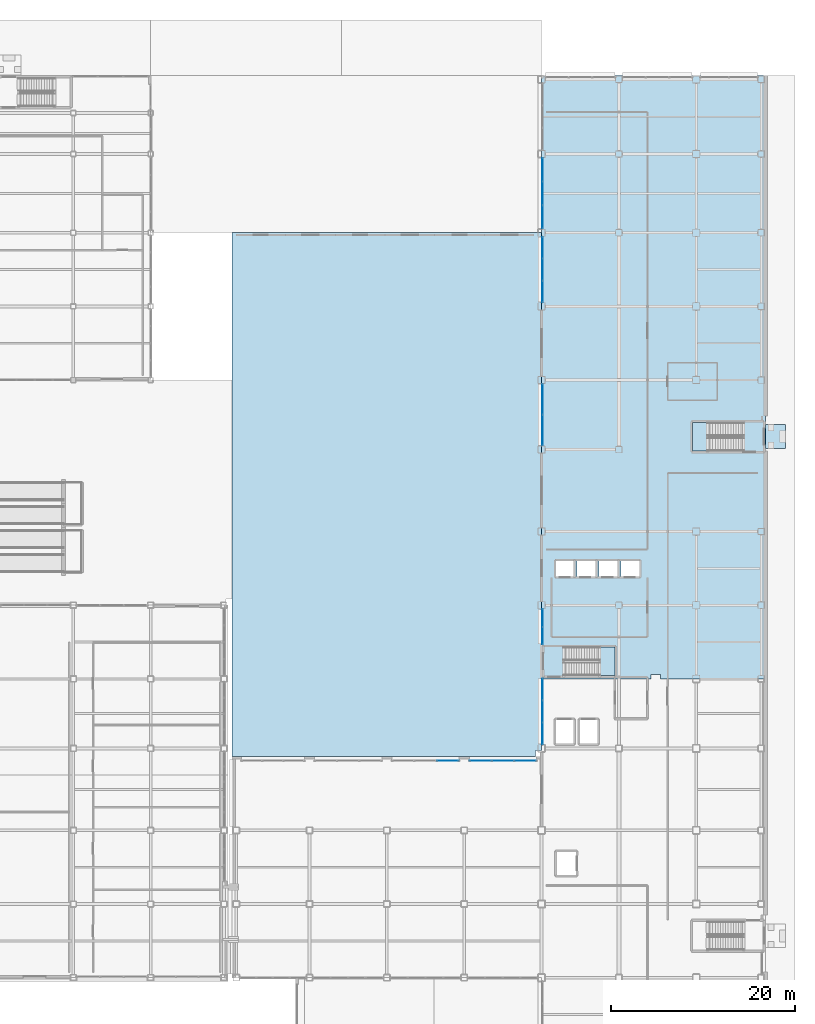
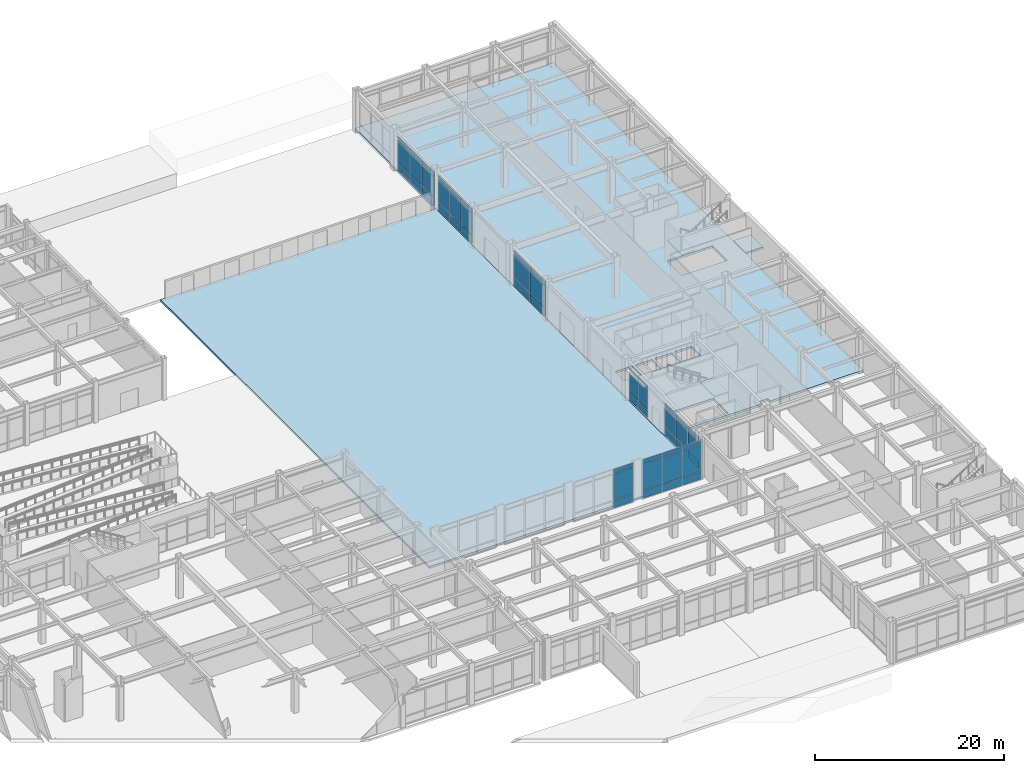
# One storey, part 121 of 165: 51 plates, 5 slabs, 9 elements without a shape of their own.
"""IFC4 building model written with IfcOpenShell, lengths in metres."""

from ifc_helpers import new_model, si_unit, direction, frame, origin, origin_2d, place, context, subcontext, project, spatial, polyline, rectangle, outline, extrude, material, layer, layer_set, type_object, element, aggregate, save


model = new_model("IFC4")

# Units and contexts
model_context = context("Model", 3, precision=1e-05, world=origin(), true_north=direction((0.0, 1.0)))
body_context = subcontext(model_context, "Body", "Model", "MODEL_VIEW")
ifc_project = project(units=[si_unit("LENGTHUNIT", "METRE"), si_unit("AREAUNIT", "SQUARE_METRE"), si_unit("VOLUMEUNIT", "CUBIC_METRE"), si_unit("PLANEANGLEUNIT", "RADIAN"), si_unit("MASSUNIT", "GRAM", prefix="KILO")], contexts=[model_context])

# Site, building, storey
site_placement = place(None, origin())
site = spatial("IfcSite", under=ifc_project, at=site_placement, CompositionType="ELEMENT")
building_placement = place(site_placement, origin())
building = spatial("IfcBuilding", under=site, at=building_placement, Name="Kazehara Bluff Congress Hotel", CompositionType="ELEMENT")
storey_placement = place(building_placement, origin())
storey = spatial("IfcBuildingStorey", under=building, at=storey_placement, Name="L00", CompositionType="ELEMENT", Elevation=0.0)

# Curtain wall, plates
ifc_material_1 = material(Name="Anodised aluminium", Category="aluminium")
ifc_layer_1 = layer(ifc_material_1, 0.159912109375)
ifc_layer_set_1 = layer_set([ifc_layer_1], Name="Anodised aluminium")
curtain_wall_type_1 = type_object("IfcCurtainWallType", Name="TP-CW-101", PredefinedType="NOTDEFINED", material=ifc_layer_set_1)
curtain_wall_1_placement = place(storey_placement, origin())
curtain_wall_1 = element("IfcCurtainWall", 1, at=curtain_wall_1_placement, inside=storey, type_object=curtain_wall_type_1, Name="L00 curtain wall CW-101 CW-ENC-V5-L00-14380-4492", PredefinedType="NOTDEFINED")
ifc_material_2 = material(Name="Insulated low-E double glazing", Category="glass")
ifc_layer_2 = layer(ifc_material_2, 0.028076171875)
ifc_layer_set_2 = layer_set([ifc_layer_2], Name="Insulated low-E double glazing")
plate_type_1 = type_object("IfcPlateType", Name="TP-CWP-01", PredefinedType="CURTAIN_PANEL", material=ifc_layer_set_2)
plate_1_placement = place(storey_placement, frame((143.800048828125, 42.52294921875, 0.06494140625), z_axis=(0.0, 0.0, 1.0), x_axis=(0.0, 1.0, 0.0)))
plate_1 = element("IfcPlate", 2, at=plate_1_placement, type_object=plate_type_1, Name="CW-101 panel 1.1", PredefinedType="CURTAIN_PANEL", context=body_context, shape_type="SweptSolid", body=[
    extrude(rectangle(XDim=2.31591796875, YDim=0.028076171875, at=origin_2d()), origin(), (0.0, 0.0, 1.0), 0.952392578125),
])
plate_2_placement = place(storey_placement, frame((143.800048828125, 42.52294921875, 1.08251953125), z_axis=(0.0, 0.0, 1.0), x_axis=(0.0, 1.0, 0.0)))
plate_2 = element("IfcPlate", 3, at=plate_2_placement, type_object=plate_type_1, Name="CW-101 panel 1.2", PredefinedType="CURTAIN_PANEL", context=body_context, shape_type="SweptSolid", body=[
    extrude(rectangle(XDim=2.31591796875, YDim=0.028076171875, at=origin_2d()), origin(), (0.0, 0.0, 1.0), 2.4599609375),
])
plate_3_placement = place(storey_placement, frame((143.800048828125, 42.52294921875, 3.607421875), z_axis=(0.0, 0.0, 1.0), x_axis=(0.0, 1.0, 0.0)))
plate_3 = element("IfcPlate", 4, at=plate_3_placement, type_object=plate_type_1, Name="CW-101 panel 1.3", PredefinedType="CURTAIN_PANEL", context=body_context, shape_type="SweptSolid", body=[
    extrude(rectangle(XDim=2.31591796875, YDim=0.028076171875, at=origin_2d()), origin(), (0.0, 0.0, 1.0), 0.552490234375),
])
plate_4_placement = place(storey_placement, frame((143.800048828125, 44.919921875, 0.06494140625), z_axis=(0.0, 0.0, 1.0), x_axis=(0.0, 1.0, 0.0)))
plate_4 = element("IfcPlate", 5, at=plate_4_placement, type_object=plate_type_1, Name="CW-101 panel 2.1", PredefinedType="CURTAIN_PANEL", context=body_context, shape_type="SweptSolid", body=[
    extrude(rectangle(XDim=2.348388671875, YDim=0.028076171875, at=origin_2d()), origin(), (0.0, 0.0, 1.0), 0.952392578125),
])
plate_5_placement = place(storey_placement, frame((143.800048828125, 44.919921875, 1.08251953125), z_axis=(0.0, 0.0, 1.0), x_axis=(0.0, 1.0, 0.0)))
plate_5 = element("IfcPlate", 6, at=plate_5_placement, type_object=plate_type_1, Name="CW-101 panel 2.2", PredefinedType="CURTAIN_PANEL", context=body_context, shape_type="SweptSolid", body=[
    extrude(rectangle(XDim=2.348388671875, YDim=0.028076171875, at=origin_2d()), origin(), (0.0, 0.0, 1.0), 2.4599609375),
])
plate_6_placement = place(storey_placement, frame((143.800048828125, 44.919921875, 3.607421875), z_axis=(0.0, 0.0, 1.0), x_axis=(0.0, 1.0, 0.0)))
plate_6 = element("IfcPlate", 7, at=plate_6_placement, type_object=plate_type_1, Name="CW-101 panel 2.3", PredefinedType="CURTAIN_PANEL", context=body_context, shape_type="SweptSolid", body=[
    extrude(rectangle(XDim=2.348388671875, YDim=0.028076171875, at=origin_2d()), origin(), (0.0, 0.0, 1.0), 0.552490234375),
])
plate_7_placement = place(storey_placement, frame((143.800048828125, 47.317138671875, 0.06494140625), z_axis=(0.0, 0.0, 1.0), x_axis=(0.0, 1.0, 0.0)))
plate_7 = element("IfcPlate", 8, at=plate_7_placement, type_object=plate_type_1, Name="CW-101 panel 3.1", PredefinedType="CURTAIN_PANEL", context=body_context, shape_type="SweptSolid", body=[
    extrude(rectangle(XDim=2.31591796875, YDim=0.028076171875, at=origin_2d()), origin(), (0.0, 0.0, 1.0), 0.952392578125),
])
plate_8_placement = place(storey_placement, frame((143.800048828125, 47.317138671875, 1.08251953125), z_axis=(0.0, 0.0, 1.0), x_axis=(0.0, 1.0, 0.0)))
plate_8 = element("IfcPlate", 9, at=plate_8_placement, type_object=plate_type_1, Name="CW-101 panel 3.2", PredefinedType="CURTAIN_PANEL", context=body_context, shape_type="SweptSolid", body=[
    extrude(rectangle(XDim=2.31591796875, YDim=0.028076171875, at=origin_2d()), origin(), (0.0, 0.0, 1.0), 2.4599609375),
])
plate_9_placement = place(storey_placement, frame((143.800048828125, 47.317138671875, 3.607421875), z_axis=(0.0, 0.0, 1.0), x_axis=(0.0, 1.0, 0.0)))
plate_9 = element("IfcPlate", 10, at=plate_9_placement, type_object=plate_type_1, Name="CW-101 panel 3.3", PredefinedType="CURTAIN_PANEL", context=body_context, shape_type="SweptSolid", body=[
    extrude(rectangle(XDim=2.31591796875, YDim=0.028076171875, at=origin_2d()), origin(), (0.0, 0.0, 1.0), 0.552490234375),
])
aggregate(curtain_wall_1, [plate_1, plate_2, plate_3, plate_4, plate_5, plate_6, plate_7, plate_8, plate_9])

ifc_material_3 = material(Name="Anodised aluminium", Category="aluminium")
ifc_layer_3 = layer(ifc_material_3, 0.159912109375)
ifc_layer_set_3 = layer_set([ifc_layer_3], Name="Anodised aluminium")
curtain_wall_type_2 = type_object("IfcCurtainWallType", Name="TP-CW-46", PredefinedType="NOTDEFINED", material=ifc_layer_set_3)
curtain_wall_2_placement = place(storey_placement, origin())
curtain_wall_2 = element("IfcCurtainWall", 11, at=curtain_wall_2_placement, inside=storey, type_object=curtain_wall_type_2, Name="L00 curtain wall CW-46 CW-V5-L00-Y3955-12745", PredefinedType="NOTDEFINED")
ifc_material_4 = material(Name="Insulated low-E double glazing", Category="glass")
ifc_layer_4 = layer(ifc_material_4, 0.031982421875)
ifc_layer_set_4 = layer_set([ifc_layer_4], Name="Insulated low-E double glazing")
plate_type_2 = type_object("IfcPlateType", Name="TP-CWP-02", PredefinedType="CURTAIN_PANEL", material=ifc_layer_set_4)
plate_10_placement = place(storey_placement, frame((133.515869140625, 39.550048828125, 0.06494140625), z_axis=(0.0, 0.0, 1.0), x_axis=(1.0, 0.0, 0.0)))
plate_10 = element("IfcPlate", 12, at=plate_10_placement, type_object=plate_type_2, Name="CW-46 panel 3.1", PredefinedType="CURTAIN_PANEL", context=body_context, shape_type="SweptSolid", body=[
    extrude(rectangle(XDim=2.328369140625, YDim=0.031982421875, at=origin_2d()), origin(), (0.0, 0.0, 1.0), 0.952392578125),
])
plate_11_placement = place(storey_placement, frame((133.515869140625, 39.550048828125, 1.08251953125), z_axis=(0.0, 0.0, 1.0), x_axis=(1.0, 0.0, 0.0)))
plate_11 = element("IfcPlate", 13, at=plate_11_placement, type_object=plate_type_2, Name="CW-46 panel 3.2", PredefinedType="CURTAIN_PANEL", context=body_context, shape_type="SweptSolid", body=[
    extrude(rectangle(XDim=2.328369140625, YDim=0.031982421875, at=origin_2d()), origin(), (0.0, 0.0, 1.0), 3.3701171875),
])
plate_12_placement = place(storey_placement, frame((133.515869140625, 39.550048828125, 4.517578125), z_axis=(0.0, 0.0, 1.0), x_axis=(1.0, 0.0, 0.0)))
plate_12 = element("IfcPlate", 14, at=plate_12_placement, type_object=plate_type_2, Name="CW-46 panel 3.3", PredefinedType="CURTAIN_PANEL", context=body_context, shape_type="SweptSolid", body=[
    extrude(rectangle(XDim=2.328369140625, YDim=0.031982421875, at=origin_2d()), origin(), (0.0, 0.0, 1.0), 0.552490234375),
])
aggregate(curtain_wall_2, [plate_10, plate_11, plate_12])

curtain_wall_3_placement = place(storey_placement, origin())
curtain_wall_3 = element("IfcCurtainWall", 15, at=curtain_wall_3_placement, inside=storey, type_object=curtain_wall_type_2, Name="L00 curtain wall CW-46 CW-V5-L00-Y3955-13585", PredefinedType="NOTDEFINED")
plate_13_placement = place(storey_placement, frame((137.084228515625, 39.550048828125, 0.06494140625), z_axis=(0.0, 0.0, 1.0), x_axis=(1.0, 0.0, 0.0)))
plate_13 = element("IfcPlate", 16, at=plate_13_placement, type_object=plate_type_2, Name="CW-46 panel 1.1", PredefinedType="CURTAIN_PANEL", context=body_context, shape_type="SweptSolid", body=[
    extrude(rectangle(XDim=2.328369140625, YDim=0.031982421875, at=origin_2d()), origin(), (0.0, 0.0, 1.0), 0.952392578125),
])
plate_14_placement = place(storey_placement, frame((137.084228515625, 39.550048828125, 1.08251953125), z_axis=(0.0, 0.0, 1.0), x_axis=(1.0, 0.0, 0.0)))
plate_14 = element("IfcPlate", 17, at=plate_14_placement, type_object=plate_type_2, Name="CW-46 panel 1.2", PredefinedType="CURTAIN_PANEL", context=body_context, shape_type="SweptSolid", body=[
    extrude(rectangle(XDim=2.328369140625, YDim=0.031982421875, at=origin_2d()), origin(), (0.0, 0.0, 1.0), 3.3701171875),
])
plate_15_placement = place(storey_placement, frame((137.084228515625, 39.550048828125, 4.517578125), z_axis=(0.0, 0.0, 1.0), x_axis=(1.0, 0.0, 0.0)))
plate_15 = element("IfcPlate", 18, at=plate_15_placement, type_object=plate_type_2, Name="CW-46 panel 1.3", PredefinedType="CURTAIN_PANEL", context=body_context, shape_type="SweptSolid", body=[
    extrude(rectangle(XDim=2.328369140625, YDim=0.031982421875, at=origin_2d()), origin(), (0.0, 0.0, 1.0), 0.552490234375),
])
plate_16_placement = place(storey_placement, frame((139.5, 39.550048828125, 0.06494140625), z_axis=(0.0, 0.0, 1.0), x_axis=(1.0, 0.0, 0.0)))
plate_16 = element("IfcPlate", 19, at=plate_16_placement, type_object=plate_type_2, Name="CW-46 panel 2.1", PredefinedType="CURTAIN_PANEL", context=body_context, shape_type="SweptSolid", body=[
    extrude(rectangle(XDim=2.36328125, YDim=0.031982421875, at=origin_2d()), origin(), (0.0, 0.0, 1.0), 0.952392578125),
])
plate_17_placement = place(storey_placement, frame((139.5, 39.550048828125, 1.08251953125), z_axis=(0.0, 0.0, 1.0), x_axis=(1.0, 0.0, 0.0)))
plate_17 = element("IfcPlate", 20, at=plate_17_placement, type_object=plate_type_2, Name="CW-46 panel 2.2", PredefinedType="CURTAIN_PANEL", context=body_context, shape_type="SweptSolid", body=[
    extrude(rectangle(XDim=2.36328125, YDim=0.031982421875, at=origin_2d()), origin(), (0.0, 0.0, 1.0), 3.3701171875),
])
plate_18_placement = place(storey_placement, frame((139.5, 39.550048828125, 4.517578125), z_axis=(0.0, 0.0, 1.0), x_axis=(1.0, 0.0, 0.0)))
plate_18 = element("IfcPlate", 21, at=plate_18_placement, type_object=plate_type_2, Name="CW-46 panel 2.3", PredefinedType="CURTAIN_PANEL", context=body_context, shape_type="SweptSolid", body=[
    extrude(rectangle(XDim=2.36328125, YDim=0.031982421875, at=origin_2d()), origin(), (0.0, 0.0, 1.0), 0.552490234375),
])
plate_19_placement = place(storey_placement, frame((141.915771484375, 39.550048828125, 0.06494140625), z_axis=(0.0, 0.0, 1.0), x_axis=(1.0, 0.0, 0.0)))
plate_19 = element("IfcPlate", 22, at=plate_19_placement, type_object=plate_type_2, Name="CW-46 panel 3.1", PredefinedType="CURTAIN_PANEL", context=body_context, shape_type="SweptSolid", body=[
    extrude(rectangle(XDim=2.328369140625, YDim=0.031982421875, at=origin_2d()), origin(), (0.0, 0.0, 1.0), 0.952392578125),
])
plate_20_placement = place(storey_placement, frame((141.915771484375, 39.550048828125, 1.08251953125), z_axis=(0.0, 0.0, 1.0), x_axis=(1.0, 0.0, 0.0)))
plate_20 = element("IfcPlate", 23, at=plate_20_placement, type_object=plate_type_2, Name="CW-46 panel 3.2", PredefinedType="CURTAIN_PANEL", context=body_context, shape_type="SweptSolid", body=[
    extrude(rectangle(XDim=2.328369140625, YDim=0.031982421875, at=origin_2d()), origin(), (0.0, 0.0, 1.0), 3.3701171875),
])
plate_21_placement = place(storey_placement, frame((141.915771484375, 39.550048828125, 4.517578125), z_axis=(0.0, 0.0, 1.0), x_axis=(1.0, 0.0, 0.0)))
plate_21 = element("IfcPlate", 24, at=plate_21_placement, type_object=plate_type_2, Name="CW-46 panel 3.3", PredefinedType="CURTAIN_PANEL", context=body_context, shape_type="SweptSolid", body=[
    extrude(rectangle(XDim=2.328369140625, YDim=0.031982421875, at=origin_2d()), origin(), (0.0, 0.0, 1.0), 0.552490234375),
])
aggregate(curtain_wall_3, [plate_13, plate_14, plate_15, plate_16, plate_17, plate_18, plate_19, plate_20, plate_21])

ifc_material_5 = material(Name="Anodised aluminium", Category="aluminium")
ifc_layer_5 = layer(ifc_material_5, 0.159912109375)
ifc_layer_set_5 = layer_set([ifc_layer_5], Name="Anodised aluminium")
curtain_wall_type_3 = type_object("IfcCurtainWallType", Name="TP-CW-103", PredefinedType="NOTDEFINED", material=ifc_layer_set_5)
curtain_wall_4_placement = place(storey_placement, origin())
curtain_wall_4 = element("IfcCurtainWall", 25, at=curtain_wall_4_placement, inside=storey, type_object=curtain_wall_type_3, Name="L00 curtain wall CW-103 CW-ENC-V5-L00-14380-7712", PredefinedType="NOTDEFINED")
plate_22_placement = place(storey_placement, frame((143.800048828125, 75.455078125, 0.06494140625), z_axis=(0.0, 0.0, 1.0), x_axis=(0.0, 1.0, 0.0)))
plate_22 = element("IfcPlate", 26, at=plate_22_placement, type_object=plate_type_2, Name="CW-103 panel 1.1", PredefinedType="CURTAIN_PANEL", context=body_context, shape_type="SweptSolid", body=[
    extrude(rectangle(XDim=3.27001953125, YDim=0.031982421875, at=origin_2d()), origin(), (0.0, 0.0, 1.0), 0.952392578125),
])
plate_23_placement = place(storey_placement, frame((143.800048828125, 75.455078125, 1.08251953125), z_axis=(0.0, 0.0, 1.0), x_axis=(0.0, 1.0, 0.0)))
plate_23 = element("IfcPlate", 27, at=plate_23_placement, type_object=plate_type_2, Name="CW-103 panel 1.2", PredefinedType="CURTAIN_PANEL", context=body_context, shape_type="SweptSolid", body=[
    extrude(rectangle(XDim=3.27001953125, YDim=0.031982421875, at=origin_2d()), origin(), (0.0, 0.0, 1.0), 2.81005859375),
])
plate_24_placement = place(storey_placement, frame((143.800048828125, 75.455078125, 3.95751953125), z_axis=(0.0, 0.0, 1.0), x_axis=(0.0, 1.0, 0.0)))
plate_24 = element("IfcPlate", 28, at=plate_24_placement, type_object=plate_type_2, Name="CW-103 panel 1.3", PredefinedType="CURTAIN_PANEL", context=body_context, shape_type="SweptSolid", body=[
    extrude(rectangle(XDim=3.27001953125, YDim=0.031982421875, at=origin_2d()), origin(), (0.0, 0.0, 1.0), 0.552490234375),
])
plate_25_placement = place(storey_placement, frame((143.800048828125, 78.794921875, 0.06494140625), z_axis=(0.0, 0.0, 1.0), x_axis=(0.0, 1.0, 0.0)))
plate_25 = element("IfcPlate", 29, at=plate_25_placement, type_object=plate_type_2, Name="CW-103 panel 2.1", PredefinedType="CURTAIN_PANEL", context=body_context, shape_type="SweptSolid", body=[
    extrude(rectangle(XDim=3.27001953125, YDim=0.031982421875, at=origin_2d()), origin(), (0.0, 0.0, 1.0), 0.952392578125),
])
plate_26_placement = place(storey_placement, frame((143.800048828125, 78.794921875, 1.08251953125), z_axis=(0.0, 0.0, 1.0), x_axis=(0.0, 1.0, 0.0)))
plate_26 = element("IfcPlate", 30, at=plate_26_placement, type_object=plate_type_2, Name="CW-103 panel 2.2", PredefinedType="CURTAIN_PANEL", context=body_context, shape_type="SweptSolid", body=[
    extrude(rectangle(XDim=3.27001953125, YDim=0.031982421875, at=origin_2d()), origin(), (0.0, 0.0, 1.0), 2.81005859375),
])
plate_27_placement = place(storey_placement, frame((143.800048828125, 78.794921875, 3.95751953125), z_axis=(0.0, 0.0, 1.0), x_axis=(0.0, 1.0, 0.0)))
plate_27 = element("IfcPlate", 31, at=plate_27_placement, type_object=plate_type_2, Name="CW-103 panel 2.3", PredefinedType="CURTAIN_PANEL", context=body_context, shape_type="SweptSolid", body=[
    extrude(rectangle(XDim=3.27001953125, YDim=0.031982421875, at=origin_2d()), origin(), (0.0, 0.0, 1.0), 0.552490234375),
])
aggregate(curtain_wall_4, [plate_22, plate_23, plate_24, plate_25, plate_26, plate_27])

ifc_material_6 = material(Name="Anodised aluminium", Category="aluminium")
ifc_layer_6 = layer(ifc_material_6, 0.159912109375)
ifc_layer_set_6 = layer_set([ifc_layer_6], Name="Anodised aluminium")
curtain_wall_type_4 = type_object("IfcCurtainWallType", Name="TP-CW-104", PredefinedType="NOTDEFINED", material=ifc_layer_set_6)
curtain_wall_5_placement = place(storey_placement, origin())
curtain_wall_5 = element("IfcCurtainWall", 32, at=curtain_wall_5_placement, inside=storey, type_object=curtain_wall_type_4, Name="L00 curtain wall CW-104 CW-ENC-V5-L00-14380-9290", PredefinedType="NOTDEFINED")
plate_28_placement = place(storey_placement, frame((143.800048828125, 90.517578125, 0.06494140625), z_axis=(0.0, 0.0, 1.0), x_axis=(0.0, 1.0, 0.0)))
plate_28 = element("IfcPlate", 33, at=plate_28_placement, type_object=plate_type_2, Name="CW-104 panel 1.1", PredefinedType="CURTAIN_PANEL", context=body_context, shape_type="SweptSolid", body=[
    extrude(rectangle(XDim=2.294921875, YDim=0.031982421875, at=origin_2d()), origin(), (0.0, 0.0, 1.0), 0.952392578125),
])
plate_29_placement = place(storey_placement, frame((143.800048828125, 90.517578125, 1.08251953125), z_axis=(0.0, 0.0, 1.0), x_axis=(0.0, 1.0, 0.0)))
plate_29 = element("IfcPlate", 34, at=plate_29_placement, type_object=plate_type_2, Name="CW-104 panel 1.2", PredefinedType="CURTAIN_PANEL", context=body_context, shape_type="SweptSolid", body=[
    extrude(rectangle(XDim=2.294921875, YDim=0.031982421875, at=origin_2d()), origin(), (0.0, 0.0, 1.0), 2.81005859375),
])
plate_30_placement = place(storey_placement, frame((143.800048828125, 90.517578125, 3.95751953125), z_axis=(0.0, 0.0, 1.0), x_axis=(0.0, 1.0, 0.0)))
plate_30 = element("IfcPlate", 35, at=plate_30_placement, type_object=plate_type_2, Name="CW-104 panel 1.3", PredefinedType="CURTAIN_PANEL", context=body_context, shape_type="SweptSolid", body=[
    extrude(rectangle(XDim=2.294921875, YDim=0.031982421875, at=origin_2d()), origin(), (0.0, 0.0, 1.0), 0.552490234375),
])
plate_31_placement = place(storey_placement, frame((143.800048828125, 92.89990234375, 0.06494140625), z_axis=(0.0, 0.0, 1.0), x_axis=(0.0, 1.0, 0.0)))
plate_31 = element("IfcPlate", 36, at=plate_31_placement, type_object=plate_type_2, Name="CW-104 panel 2.1", PredefinedType="CURTAIN_PANEL", context=body_context, shape_type="SweptSolid", body=[
    extrude(rectangle(XDim=2.330078125, YDim=0.031982421875, at=origin_2d()), origin(), (0.0, 0.0, 1.0), 0.952392578125),
])
plate_32_placement = place(storey_placement, frame((143.800048828125, 92.89990234375, 1.08251953125), z_axis=(0.0, 0.0, 1.0), x_axis=(0.0, 1.0, 0.0)))
plate_32 = element("IfcPlate", 37, at=plate_32_placement, type_object=plate_type_2, Name="CW-104 panel 2.2", PredefinedType="CURTAIN_PANEL", context=body_context, shape_type="SweptSolid", body=[
    extrude(rectangle(XDim=2.330078125, YDim=0.031982421875, at=origin_2d()), origin(), (0.0, 0.0, 1.0), 2.81005859375),
])
plate_33_placement = place(storey_placement, frame((143.800048828125, 92.89990234375, 3.95751953125), z_axis=(0.0, 0.0, 1.0), x_axis=(0.0, 1.0, 0.0)))
plate_33 = element("IfcPlate", 38, at=plate_33_placement, type_object=plate_type_2, Name="CW-104 panel 2.3", PredefinedType="CURTAIN_PANEL", context=body_context, shape_type="SweptSolid", body=[
    extrude(rectangle(XDim=2.330078125, YDim=0.031982421875, at=origin_2d()), origin(), (0.0, 0.0, 1.0), 0.552490234375),
])
plate_34_placement = place(storey_placement, frame((143.800048828125, 95.282470703125, 0.06494140625), z_axis=(0.0, 0.0, 1.0), x_axis=(0.0, 1.0, 0.0)))
plate_34 = element("IfcPlate", 39, at=plate_34_placement, type_object=plate_type_2, Name="CW-104 panel 3.1", PredefinedType="CURTAIN_PANEL", context=body_context, shape_type="SweptSolid", body=[
    extrude(rectangle(XDim=2.294921875, YDim=0.031982421875, at=origin_2d()), origin(), (0.0, 0.0, 1.0), 0.952392578125),
])
plate_35_placement = place(storey_placement, frame((143.800048828125, 95.282470703125, 1.08251953125), z_axis=(0.0, 0.0, 1.0), x_axis=(0.0, 1.0, 0.0)))
plate_35 = element("IfcPlate", 40, at=plate_35_placement, type_object=plate_type_2, Name="CW-104 panel 3.2", PredefinedType="CURTAIN_PANEL", context=body_context, shape_type="SweptSolid", body=[
    extrude(rectangle(XDim=2.294921875, YDim=0.031982421875, at=origin_2d()), origin(), (0.0, 0.0, 1.0), 2.81005859375),
])
plate_36_placement = place(storey_placement, frame((143.800048828125, 95.282470703125, 3.95751953125), z_axis=(0.0, 0.0, 1.0), x_axis=(0.0, 1.0, 0.0)))
plate_36 = element("IfcPlate", 41, at=plate_36_placement, type_object=plate_type_2, Name="CW-104 panel 3.3", PredefinedType="CURTAIN_PANEL", context=body_context, shape_type="SweptSolid", body=[
    extrude(rectangle(XDim=2.294921875, YDim=0.031982421875, at=origin_2d()), origin(), (0.0, 0.0, 1.0), 0.552490234375),
])
aggregate(curtain_wall_5, [plate_28, plate_29, plate_30, plate_31, plate_32, plate_33, plate_34, plate_35, plate_36])

ifc_material_7 = material(Name="Anodised aluminium", Category="aluminium")
ifc_layer_7 = layer(ifc_material_7, 0.159912109375)
ifc_layer_set_7 = layer_set([ifc_layer_7], Name="Anodised aluminium")
curtain_wall_type_5 = type_object("IfcCurtainWallType", Name="TP-CW-105", PredefinedType="NOTDEFINED", material=ifc_layer_set_7)
curtain_wall_6_placement = place(storey_placement, origin())
curtain_wall_6 = element("IfcCurtainWall", 42, at=curtain_wall_6_placement, inside=storey, type_object=curtain_wall_type_5, Name="L00 curtain wall CW-105 CW-ENC-V5-L00-14380-10118", PredefinedType="NOTDEFINED")
plate_37_placement = place(storey_placement, frame((143.800048828125, 98.609130859375, 0.06494140625), z_axis=(0.0, 0.0, 1.0), x_axis=(0.0, 1.0, 0.0)))
plate_37 = element("IfcPlate", 43, at=plate_37_placement, type_object=plate_type_2, Name="CW-105 panel 1.1", PredefinedType="CURTAIN_PANEL", context=body_context, shape_type="SweptSolid", body=[
    extrude(rectangle(XDim=2.478271484375, YDim=0.031982421875, at=origin_2d()), origin(), (0.0, 0.0, 1.0), 0.952392578125),
])
plate_38_placement = place(storey_placement, frame((143.800048828125, 98.609130859375, 1.08251953125), z_axis=(0.0, 0.0, 1.0), x_axis=(0.0, 1.0, 0.0)))
plate_38 = element("IfcPlate", 44, at=plate_38_placement, type_object=plate_type_2, Name="CW-105 panel 1.2", PredefinedType="CURTAIN_PANEL", context=body_context, shape_type="SweptSolid", body=[
    extrude(rectangle(XDim=2.478271484375, YDim=0.031982421875, at=origin_2d()), origin(), (0.0, 0.0, 1.0), 2.659912109375),
])
plate_39_placement = place(storey_placement, frame((143.800048828125, 98.609130859375, 3.8076171875), z_axis=(0.0, 0.0, 1.0), x_axis=(0.0, 1.0, 0.0)))
plate_39 = element("IfcPlate", 45, at=plate_39_placement, type_object=plate_type_2, Name="CW-105 panel 1.3", PredefinedType="CURTAIN_PANEL", context=body_context, shape_type="SweptSolid", body=[
    extrude(rectangle(XDim=2.478271484375, YDim=0.031982421875, at=origin_2d()), origin(), (0.0, 0.0, 1.0), 0.552490234375),
])
plate_40_placement = place(storey_placement, frame((143.800048828125, 101.175048828125, 0.06494140625), z_axis=(0.0, 0.0, 1.0), x_axis=(0.0, 1.0, 0.0)))
plate_40 = element("IfcPlate", 46, at=plate_40_placement, type_object=plate_type_2, Name="CW-105 panel 2.1", PredefinedType="CURTAIN_PANEL", context=body_context, shape_type="SweptSolid", body=[
    extrude(rectangle(XDim=2.513427734375, YDim=0.031982421875, at=origin_2d()), origin(), (0.0, 0.0, 1.0), 0.952392578125),
])
plate_41_placement = place(storey_placement, frame((143.800048828125, 101.175048828125, 1.08251953125), z_axis=(0.0, 0.0, 1.0), x_axis=(0.0, 1.0, 0.0)))
plate_41 = element("IfcPlate", 47, at=plate_41_placement, type_object=plate_type_2, Name="CW-105 panel 2.2", PredefinedType="CURTAIN_PANEL", context=body_context, shape_type="SweptSolid", body=[
    extrude(rectangle(XDim=2.513427734375, YDim=0.031982421875, at=origin_2d()), origin(), (0.0, 0.0, 1.0), 2.659912109375),
])
plate_42_placement = place(storey_placement, frame((143.800048828125, 101.175048828125, 3.8076171875), z_axis=(0.0, 0.0, 1.0), x_axis=(0.0, 1.0, 0.0)))
plate_42 = element("IfcPlate", 48, at=plate_42_placement, type_object=plate_type_2, Name="CW-105 panel 2.3", PredefinedType="CURTAIN_PANEL", context=body_context, shape_type="SweptSolid", body=[
    extrude(rectangle(XDim=2.513427734375, YDim=0.031982421875, at=origin_2d()), origin(), (0.0, 0.0, 1.0), 0.552490234375),
])
plate_43_placement = place(storey_placement, frame((143.800048828125, 103.74072265625, 0.06494140625), z_axis=(0.0, 0.0, 1.0), x_axis=(0.0, 1.0, 0.0)))
plate_43 = element("IfcPlate", 49, at=plate_43_placement, type_object=plate_type_2, Name="CW-105 panel 3.1", PredefinedType="CURTAIN_PANEL", context=body_context, shape_type="SweptSolid", body=[
    extrude(rectangle(XDim=2.478271484375, YDim=0.031982421875, at=origin_2d()), origin(), (0.0, 0.0, 1.0), 0.952392578125),
])
plate_44_placement = place(storey_placement, frame((143.800048828125, 103.74072265625, 1.08251953125), z_axis=(0.0, 0.0, 1.0), x_axis=(0.0, 1.0, 0.0)))
plate_44 = element("IfcPlate", 50, at=plate_44_placement, type_object=plate_type_2, Name="CW-105 panel 3.2", PredefinedType="CURTAIN_PANEL", context=body_context, shape_type="SweptSolid", body=[
    extrude(rectangle(XDim=2.478271484375, YDim=0.031982421875, at=origin_2d()), origin(), (0.0, 0.0, 1.0), 2.659912109375),
])
plate_45_placement = place(storey_placement, frame((143.800048828125, 103.74072265625, 3.8076171875), z_axis=(0.0, 0.0, 1.0), x_axis=(0.0, 1.0, 0.0)))
plate_45 = element("IfcPlate", 51, at=plate_45_placement, type_object=plate_type_2, Name="CW-105 panel 3.3", PredefinedType="CURTAIN_PANEL", context=body_context, shape_type="SweptSolid", body=[
    extrude(rectangle(XDim=2.478271484375, YDim=0.031982421875, at=origin_2d()), origin(), (0.0, 0.0, 1.0), 0.552490234375),
])
aggregate(curtain_wall_6, [plate_37, plate_38, plate_39, plate_40, plate_41, plate_42, plate_43, plate_44, plate_45])

ifc_material_8 = material(Name="Anodised aluminium", Category="aluminium")
ifc_layer_8 = layer(ifc_material_8, 0.159912109375)
ifc_layer_set_8 = layer_set([ifc_layer_8], Name="Anodised aluminium")
curtain_wall_type_6 = type_object("IfcCurtainWallType", Name="TP-CW-102", PredefinedType="NOTDEFINED", material=ifc_layer_set_8)
curtain_wall_7_placement = place(storey_placement, origin())
curtain_wall_7 = element("IfcCurtainWall", 52, at=curtain_wall_7_placement, inside=storey, type_object=curtain_wall_type_6, Name="L00 curtain wall CW-102 CW-ENC-V5-L00-14380-5410", PredefinedType="NOTDEFINED")
ifc_material_9 = material(Name="Insulated low-E double glazing", Category="glass")
ifc_layer_9 = layer(ifc_material_9, 0.02001953125)
ifc_layer_set_9 = layer_set([ifc_layer_9], Name="Insulated low-E double glazing")
plate_type_3 = type_object("IfcPlateType", Name="TP-CWP-03", PredefinedType="CURTAIN_PANEL", material=ifc_layer_set_9)
plate_46_placement = place(storey_placement, frame((143.800048828125, 53.1474609375, 0.06005859375), z_axis=(0.0, 0.0, 1.0), x_axis=(0.0, 1.0, 0.0)))
plate_46 = element("IfcPlate", 53, at=plate_46_placement, type_object=plate_type_3, Name="CW-102 panel 1.1", PredefinedType="CURTAIN_PANEL", context=body_context, shape_type="SweptSolid", body=[
    extrude(rectangle(XDim=1.85498046875, YDim=0.02001953125, at=origin_2d()), origin(), (0.0, 0.0, 1.0), 0.9599609375),
])
plate_47_placement = place(storey_placement, frame((143.800048828125, 53.1474609375, 1.080078125), z_axis=(0.0, 0.0, 1.0), x_axis=(0.0, 1.0, 0.0)))
plate_47 = element("IfcPlate", 54, at=plate_47_placement, type_object=plate_type_3, Name="CW-102 panel 1.2", PredefinedType="CURTAIN_PANEL", context=body_context, shape_type="SweptSolid", body=[
    extrude(rectangle(XDim=1.85498046875, YDim=0.02001953125, at=origin_2d()), origin(), (0.0, 0.0, 1.0), 2.465087890625),
])
plate_48_placement = place(storey_placement, frame((143.800048828125, 53.1474609375, 3.60498046875), z_axis=(0.0, 0.0, 1.0), x_axis=(0.0, 1.0, 0.0)))
plate_48 = element("IfcPlate", 55, at=plate_48_placement, type_object=plate_type_3, Name="CW-102 panel 1.3", PredefinedType="CURTAIN_PANEL", context=body_context, shape_type="SweptSolid", body=[
    extrude(rectangle(XDim=1.85498046875, YDim=0.02001953125, at=origin_2d()), origin(), (0.0, 0.0, 1.0), 0.56005859375),
])
plate_49_placement = place(storey_placement, frame((143.800048828125, 55.0625, 0.06005859375), z_axis=(0.0, 0.0, 1.0), x_axis=(0.0, 1.0, 0.0)))
plate_49 = element("IfcPlate", 56, at=plate_49_placement, type_object=plate_type_3, Name="CW-102 panel 2.1", PredefinedType="CURTAIN_PANEL", context=body_context, shape_type="SweptSolid", body=[
    extrude(rectangle(XDim=1.85498046875, YDim=0.02001953125, at=origin_2d()), origin(), (0.0, 0.0, 1.0), 0.9599609375),
])
plate_50_placement = place(storey_placement, frame((143.800048828125, 55.0625, 1.080078125), z_axis=(0.0, 0.0, 1.0), x_axis=(0.0, 1.0, 0.0)))
plate_50 = element("IfcPlate", 57, at=plate_50_placement, type_object=plate_type_3, Name="CW-102 panel 2.2", PredefinedType="CURTAIN_PANEL", context=body_context, shape_type="SweptSolid", body=[
    extrude(rectangle(XDim=1.85498046875, YDim=0.02001953125, at=origin_2d()), origin(), (0.0, 0.0, 1.0), 2.465087890625),
])
plate_51_placement = place(storey_placement, frame((143.800048828125, 55.0625, 3.60498046875), z_axis=(0.0, 0.0, 1.0), x_axis=(0.0, 1.0, 0.0)))
plate_51 = element("IfcPlate", 58, at=plate_51_placement, type_object=plate_type_3, Name="CW-102 panel 2.3", PredefinedType="CURTAIN_PANEL", context=body_context, shape_type="SweptSolid", body=[
    extrude(rectangle(XDim=1.85498046875, YDim=0.02001953125, at=origin_2d()), origin(), (0.0, 0.0, 1.0), 0.56005859375),
])
aggregate(curtain_wall_7, [plate_46, plate_47, plate_48, plate_49, plate_50, plate_51])

# Slabs
ifc_material_10 = material(Name="Concrete C36/45", Category="concrete")
ifc_layer_10 = layer(ifc_material_10, 0.25)
ifc_layer_set_10 = layer_set([ifc_layer_10], Name="Concrete C36/45")
slab_type_1 = type_object("IfcSlabType", Name="TP-SL-250", PredefinedType="FLOOR", material=ifc_layer_set_10)
slab_1_placement = place(storey_placement, frame((0.0, 0.0, -0.25)))
element("IfcSlab", 59, at=slab_1_placement, inside=storey, type_object=slab_type_1, Name="Escape Stair ST-12 exterior exit threshold slab", PredefinedType="FLOOR", context=body_context, shape_type="SweptSolid", body=[
    extrude(outline(polyline([(168.02001953125, 73.449951171875), (170.199951171875, 73.449951171875), (170.199951171875, 76.050048828125), (168.02001953125, 76.050048828125), (168.02001953125, 73.449951171875)])), origin(), (0.0, 0.0, 1.0), 0.25),
])
ifc_material_11 = material(Name="Concrete C36/45", Category="concrete")
ifc_layer_11 = layer(ifc_material_11, 0.280029296875)
ifc_layer_set_11 = layer_set([ifc_layer_11], Name="Concrete C36/45")
slab_type_2 = type_object("IfcSlabType", Name="TP-SL-280", PredefinedType="FLOOR", material=ifc_layer_set_11)
slab_2_placement = place(storey_placement, frame((0.0, 0.0, -0.280029296875)))
element("IfcSlab", 60, at=slab_2_placement, inside=storey, type_object=slab_type_2, Name="L00 V5 composite floor slab N", PredefinedType="FLOOR", context=body_context, shape_type="SweptSolid", body=[
    extrude(outline(polyline([(168.0, 114.0), (168.0, 48.449951171875), (156.60009765625, 48.449951171875), (156.60009765625, 48.949951171875), (155.60009765625, 48.949951171875), (155.60009765625, 48.449951171875), (143.699951171875, 48.449951171875), (143.699951171875, 114.0), (168.0, 114.0)]), holes=[polyline([(146.125, 48.800048828125), (151.64990234375, 48.800048828125), (151.64990234375, 51.89990234375), (146.125, 51.89990234375), (146.125, 48.800048828125)]), polyline([(165.625, 76.300048828125), (160.10009765625, 76.300048828125), (160.10009765625, 73.199951171875), (165.625, 73.199951171875), (165.625, 76.300048828125)]), polyline([(145.14990234375, 59.449951171875), (147.25, 59.449951171875), (147.25, 61.35009765625), (145.14990234375, 61.35009765625), (145.14990234375, 59.449951171875)]), polyline([(147.550048828125, 59.449951171875), (149.64990234375, 59.449951171875), (149.64990234375, 61.35009765625), (147.550048828125, 61.35009765625), (147.550048828125, 59.449951171875)]), polyline([(149.949951171875, 59.449951171875), (152.050048828125, 59.449951171875), (152.050048828125, 61.35009765625), (149.949951171875, 61.35009765625), (149.949951171875, 59.449951171875)]), polyline([(152.35009765625, 59.449951171875), (154.449951171875, 59.449951171875), (154.449951171875, 61.35009765625), (152.35009765625, 61.35009765625), (152.35009765625, 59.449951171875)])]), origin(), (0.0, 0.0, 1.0), 0.280029296875),
])
ifc_material_12 = material(Name="Concrete C36/45", Category="concrete")
ifc_layer_12 = layer(ifc_material_12, 0.260009765625)
ifc_layer_set_12 = layer_set([ifc_layer_12], Name="Concrete C36/45")
slab_type_3 = type_object("IfcSlabType", Name="TP-SL-GND", PredefinedType="FLOOR", material=ifc_layer_set_12)
slab_3_placement = place(storey_placement, frame((0.0, 0.0, -0.260009765625)))
element("IfcSlab", 61, at=slab_3_placement, inside=storey, type_object=slab_type_3, Name="Central bluff garden courtyard east terrace", PredefinedType="FLOOR", context=body_context, shape_type="SweptSolid", body=[
    extrude(outline(polyline([(110.10009765625, 40.0), (143.050048828125, 40.0), (143.050048828125, 40.64990234375), (143.699951171875, 40.64990234375), (143.699951171875, 96.89990234375), (110.10009765625, 96.89990234375), (110.10009765625, 40.0)])), origin(), (0.0, 0.0, 1.0), 0.260009765625),
])

# Stair, slab
ifc_material_13 = material(Name="Concrete C36/45", Category="concrete")
stair_type = type_object("IfcStairType", Name="TP-ST-T03", PredefinedType="HALF_TURN_STAIR", material=ifc_material_13)
stair_1_placement = place(storey_placement, origin())
stair_1 = element("IfcStair", 62, at=stair_1_placement, inside=storey, type_object=stair_type, Name="L00 Escape stair ST-11", PredefinedType="HALF_TURN_STAIR")
ifc_material_14 = material(Name="Concrete C36/45", Category="concrete")
ifc_layer_13 = layer(ifc_material_14, 0.199951171875)
ifc_layer_set_13 = layer_set([ifc_layer_13], Name="Concrete C36/45")
slab_type_4 = type_object("IfcSlabType", Name="TP-SLD-200", PredefinedType="LANDING", material=ifc_layer_set_13)
slab_4_placement = place(storey_placement, frame((0.0, 0.0, 2.5)))
slab_4 = element("IfcSlab", 63, at=slab_4_placement, type_object=slab_type_4, Name="ST-11 landing 1", PredefinedType="LANDING", context=body_context, shape_type="SweptSolid", body=[
    extrude(outline(polyline([(150.02001953125, 48.800048828125), (151.64990234375, 48.800048828125), (151.64990234375, 51.89990234375), (150.02001953125, 51.89990234375), (150.02001953125, 48.800048828125)])), origin(), (0.0, 0.0, 1.0), 0.199951171875),
])
aggregate(stair_1, [slab_4])

stair_2_placement = place(storey_placement, origin())
stair_2 = element("IfcStair", 64, at=stair_2_placement, inside=storey, type_object=stair_type, Name="L00 Escape stair ST-12", PredefinedType="HALF_TURN_STAIR")
slab_5_placement = place(storey_placement, frame((0.0, 0.0, 2.5)))
slab_5 = element("IfcSlab", 65, at=slab_5_placement, type_object=slab_type_4, Name="ST-12 landing 1", PredefinedType="LANDING", context=body_context, shape_type="SweptSolid", body=[
    extrude(outline(polyline([(161.72998046875, 76.300048828125), (160.10009765625, 76.300048828125), (160.10009765625, 73.199951171875), (161.72998046875, 73.199951171875), (161.72998046875, 76.300048828125)])), origin(), (0.0, 0.0, 1.0), 0.199951171875),
])
aggregate(stair_2, [slab_5])

save(model, "model.ifc")
